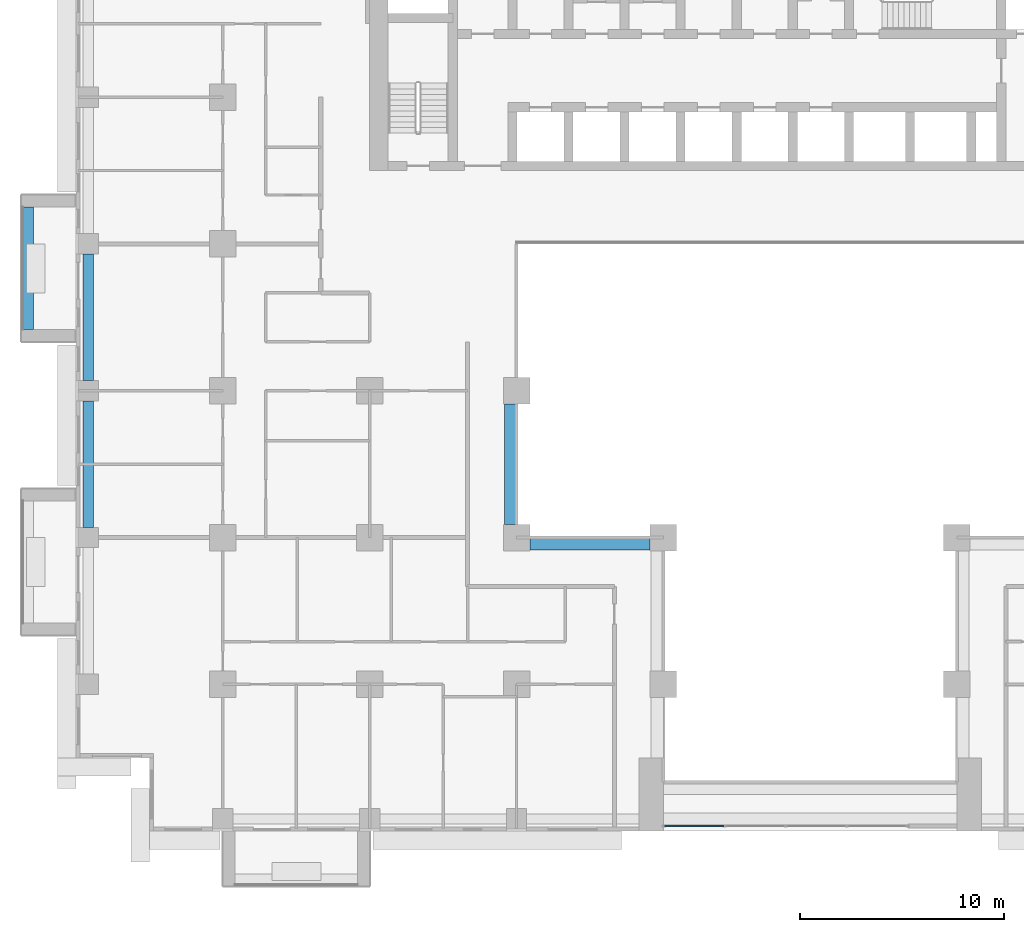
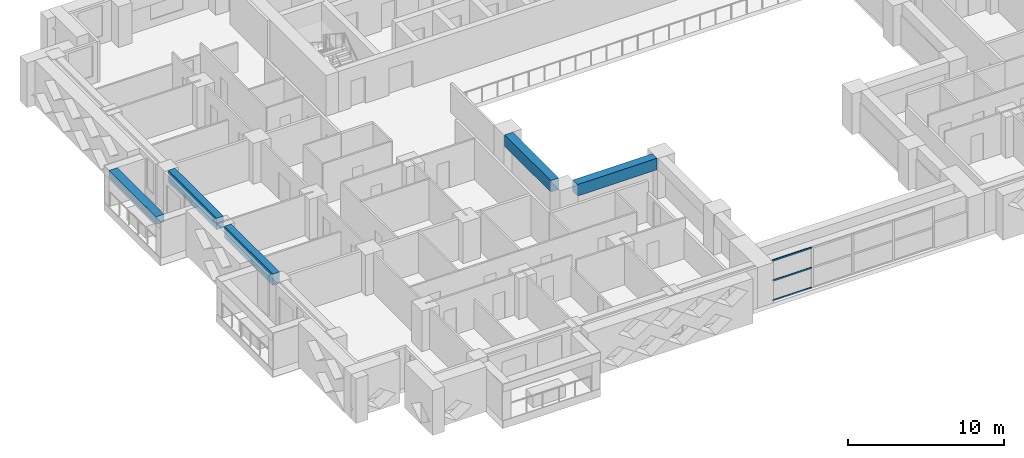
# One storey, part 3 of 16: 5 beams, 3 members, 1 element without a shape of its own.
"""IFC4 building model written with IfcOpenShell, lengths in metres."""

from ifc_helpers import new_model, si_unit, direction, frame, origin, origin_2d, place, context, subcontext, project, spatial, rectangle, extrude, source, transform, mapped, material, layer, layer_set, material_profile, profile_set, type_object, element, aggregate, save


model = new_model("IFC4")

# Units and contexts
model_context = context("Model", 3, precision=1e-05, world=origin(), true_north=direction((0.0, 1.0)))
body_context = subcontext(model_context, "Body", "Model", "MODEL_VIEW")
ifc_project = project(units=[si_unit("LENGTHUNIT", "METRE"), si_unit("AREAUNIT", "SQUARE_METRE"), si_unit("VOLUMEUNIT", "CUBIC_METRE"), si_unit("PLANEANGLEUNIT", "RADIAN"), si_unit("MASSUNIT", "GRAM", prefix="KILO")], contexts=[model_context])

# Site, building, storey
site_placement = place(None, origin())
site = spatial("IfcSite", under=ifc_project, at=site_placement, CompositionType="ELEMENT")
building_placement = place(site_placement, origin())
building = spatial("IfcBuilding", under=site, at=building_placement, Name="Saffron Iwan Residences", CompositionType="ELEMENT")
storey_placement = place(building_placement, frame((0.0, 0.0, 65.5)))
storey = spatial("IfcBuildingStorey", under=building, at=storey_placement, Name="L16", CompositionType="ELEMENT", Elevation=65.5)

# Beams
ifc_material_1 = material(Name="Concrete C60/75", Category="concrete")
ifc_material_profile_1 = material_profile(ifc_material_1, rectangle(XDim=0.5, YDim=0.89990234375, at=origin_2d()), Name="RC 500x900")
ifc_profile_set_1 = profile_set([ifc_material_profile_1], Name="Concrete C60/75")
beam_type_1 = type_object("IfcBeamType", Name="SPANDREL BEAM RC 500x900 C60/75 TOP 3180", PredefinedType="SPANDREL", material=ifc_profile_set_1)
shared_shape_1 = source(origin(), body_context, "Body", "SweptSolid", [
    extrude(rectangle(XDim=0.5, YDim=0.89990234375, at=origin_2d()), origin(), (0.0, 0.0, 1.0), 6.199951171875),
])
for number, where, z_axis, x_axis, name in (
    (1, (15.0, 48.5, 2.72998046875), (0.0, 1.0, 0.0), (-1.0, 0.0, 0.0), "Spandrel beam"),
    (2, (15.0, 55.699951171875, 2.72998046875), (0.0, 1.0, 0.0), (-1.0, 0.0, 0.0), "Spandrel beam"),
):
    element("IfcBeam", number, at=place(storey_placement, frame(where, z_axis=z_axis, x_axis=x_axis)), inside=storey, type_object=beam_type_1, Name=name, PredefinedType="SPANDREL", context=body_context, shape_type="MappedRepresentation", body=[
        mapped(shared_shape_1, transform((0.0, 0.0, 0.0))),
    ])
ifc_material_profile_2 = material_profile(ifc_material_1, rectangle(XDim=0.60009765625, YDim=0.89990234375, at=origin_2d()), Name="RC 600x900")
ifc_profile_set_2 = profile_set([ifc_material_profile_2], Name="Concrete C60/75")
beam_type_2 = type_object("IfcBeamType", Name="BEAM RC 600x900 C60/75 TOP 3180", PredefinedType="BEAM", material=ifc_profile_set_2)
shared_shape_2 = source(origin(), body_context, "Body", "SweptSolid", [
    extrude(rectangle(XDim=0.60009765625, YDim=0.89990234375, at=origin_2d()), origin(), (0.0, 0.0, 1.0), 5.900146484375),
])
for number, where, z_axis, x_axis, name in (
    (3, (42.550048828125, 47.699951171875, 2.72998046875), (-1.0, 0.0, 0.0), (0.0, -1.0, 0.0), "Atrium edge beam"),
    (4, (35.699951171875, 48.64990234375, 2.72998046875), (0.0, 1.0, 0.0), (-1.0, 0.0, 0.0), "Atrium edge beam"),
):
    element("IfcBeam", number, at=place(storey_placement, frame(where, z_axis=z_axis, x_axis=x_axis)), inside=storey, type_object=beam_type_2, Name=name, PredefinedType="BEAM", context=body_context, shape_type="MappedRepresentation", body=[
        mapped(shared_shape_2, transform((0.0, 0.0, 0.0))),
    ])

# Curtain wall, members
ifc_material_2 = material(Name="Clear glass, laminated double glazed", Category="glass")
ifc_layer = layer(ifc_material_2, 0.199951171875)
ifc_layer_set = layer_set([ifc_layer], Name="Clear glass, laminated double glazed")
curtain_wall_type = type_object("IfcCurtainWallType", Name="CW-B IWAN PORTAL", PredefinedType="NOTDEFINED", material=ifc_layer_set)
curtain_wall_placement = place(storey_placement, origin())
curtain_wall = element("IfcCurtainWall", 5, at=curtain_wall_placement, inside=storey, type_object=curtain_wall_type, Name="Iwan portal glazing L16.1", PredefinedType="NOTDEFINED")
ifc_material_3 = material(Name="Aluminium 6063-T6", Category="aluminium")
ifc_material_profile_3 = material_profile(ifc_material_3, rectangle(XDim=0.06005859375, YDim=0.1201171875, at=origin_2d()), Name="CW-B TRANSOM 60 x 120")
ifc_profile_set_3 = profile_set([ifc_material_profile_3], Name="Aluminium 6063-T6")
member_type = type_object("IfcMemberType", Name="CW-B TRANSOM 60 x 120", PredefinedType="USERDEFINED", material=ifc_profile_set_3)
shared_shape_3 = source(origin(), body_context, "Body", "SweptSolid", [
    extrude(rectangle(XDim=0.06005859375, YDim=0.1201171875, at=origin_2d()), origin(), (0.0, 0.0, 1.0), 2.909912109375),
])
member_1_placement = place(storey_placement, frame((43.260009765625, 33.85009765625, 0.030029296875), z_axis=(1.0, 0.0, 0.0), x_axis=(0.0, 1.0, 0.0)))
member_1 = element("IfcMember", 6, at=member_1_placement, type_object=member_type, Name="CW-B transom 1.1", ObjectType="TRANSOM", PredefinedType="USERDEFINED", context=body_context, shape_type="MappedRepresentation", body=[
    mapped(shared_shape_3, transform((0.0, 0.0, 0.0))),
])
member_2_placement = place(storey_placement, frame((43.260009765625, 33.85009765625, 1.590087890625), z_axis=(1.0, 0.0, 0.0), x_axis=(0.0, 1.0, 0.0)))
member_2 = element("IfcMember", 7, at=member_2_placement, type_object=member_type, Name="CW-B transom 1.2", ObjectType="TRANSOM", PredefinedType="USERDEFINED", context=body_context, shape_type="MappedRepresentation", body=[
    mapped(shared_shape_3, transform((0.0, 0.0, 0.0))),
])
member_3_placement = place(storey_placement, frame((43.260009765625, 33.85009765625, 3.14990234375), z_axis=(1.0, 0.0, 0.0), x_axis=(0.0, 1.0, 0.0)))
member_3 = element("IfcMember", 8, at=member_3_placement, type_object=member_type, Name="CW-B transom 1.3", ObjectType="TRANSOM", PredefinedType="USERDEFINED", context=body_context, shape_type="MappedRepresentation", body=[
    mapped(shared_shape_3, transform((0.0, 0.0, 0.0))),
])
aggregate(curtain_wall, [member_1, member_2, member_3])

# Beam
ifc_material_4 = material(Name="Concrete C50/60 white painted", Category="concrete")
ifc_material_profile_4 = material_profile(ifc_material_4, rectangle(XDim=0.60009765625, YDim=0.60009765625, at=origin_2d()), Name="BALCONY FASCIA BEAM 600 x 600")
ifc_profile_set_4 = profile_set([ifc_material_profile_4], Name="Concrete C50/60 white painted")
beam_type_3 = type_object("IfcBeamType", Name="BALCONY FASCIA BEAM 600 x 600", PredefinedType="BEAM", material=ifc_profile_set_4)
shared_shape_4 = source(origin(), body_context, "Body", "SweptSolid", [
    extrude(rectangle(XDim=0.60009765625, YDim=0.60009765625, at=origin_2d()), origin(), (0.0, 0.0, 1.0), 6.0),
])
beam_placement = place(storey_placement, frame((12.0, 64.199951171875, 2.550048828125), z_axis=(0.0, -1.0, 0.0), x_axis=(1.0, 0.0, 0.0)))
element("IfcBeam", 9, at=beam_placement, inside=storey, type_object=beam_type_3, Name="Balcony fascia beam L16 F8-0", PredefinedType="BEAM", context=body_context, shape_type="MappedRepresentation", body=[
    mapped(shared_shape_4, transform((0.0, 0.0, 0.0))),
])

save(model, "model.ifc")
